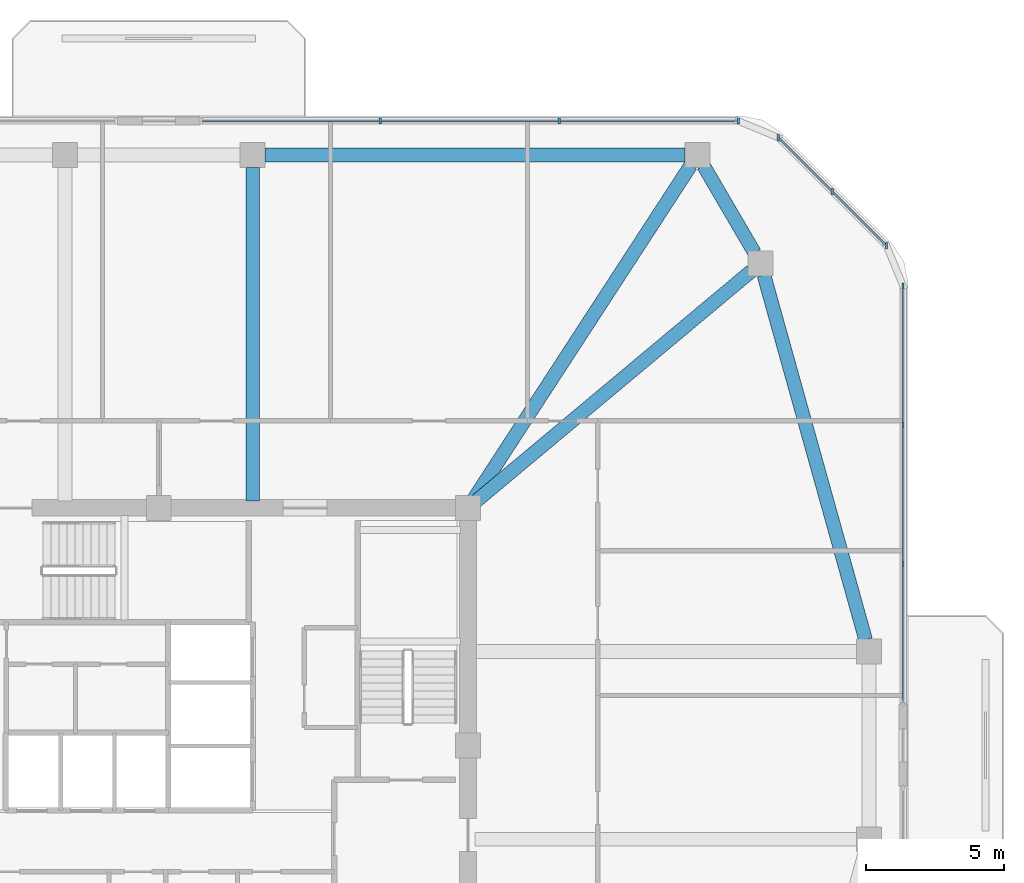
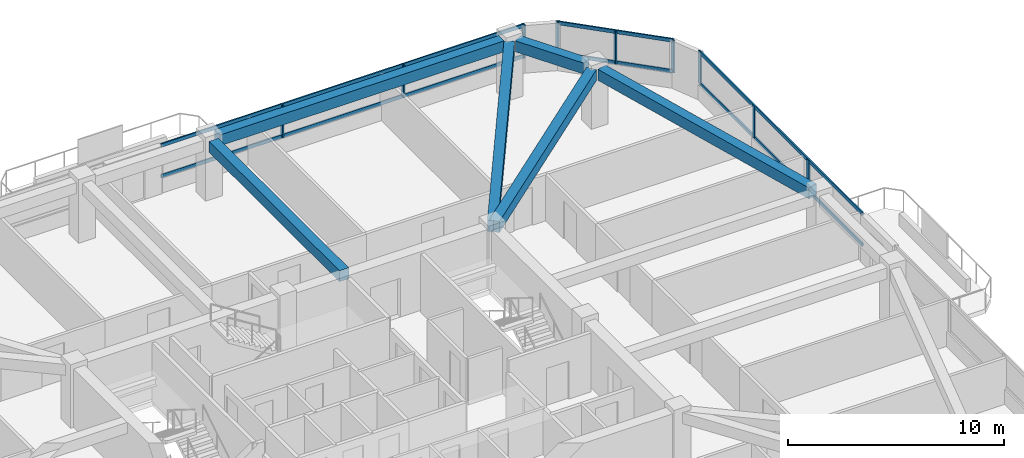
# One storey, part 7 of 14: 15 members, 6 beams, 3 elements without a shape of their own.
"""IFC4 building model written with IfcOpenShell, lengths in metres."""

import ifcopenshell
import ifcopenshell.guid

model = None  # the IFC model being written
_history = None  # IfcOwnerHistory: only IFC2X3 demands one
_inside = {}  # id of a spatial element -> (the spatial element, [elements in it])
_under = {}  # id of a project, library or spatial element -> (it, [spatial elements below it])
_declared = {}  # id of a project -> (the project, [libraries it declares])
_typed = {}  # id of a type object -> (the type object, [elements of that type])
_made_of = {}  # id of a material, layer set ... -> (it, [elements and type objects made of it])


def new_model(schema):
    """Start an empty IFC model of exactly this schema.

    Asked for "IFC4X3", IfcOpenShell would pick the latest addendum, in which some entities
    have other attributes; the version numbers below select the first issue.
    IFC2X3 requires an IfcOwnerHistory on every rooted entity: one is made here for all.
    """
    global model, _history
    if schema == "IFC4X3":
        model = ifcopenshell.file(schema_version=(4, 3, 0, 0))
    else:
        model = ifcopenshell.file(schema=schema)
    _inside.clear()
    _under.clear()
    _declared.clear()
    _typed.clear()
    _made_of.clear()
    _history = None
    if model.schema == "IFC2X3":
        org = make("IfcOrganization", Name="unknown")
        user = make(
            "IfcPersonAndOrganization",
            ThePerson=make("IfcPerson", FamilyName="unknown"),
            TheOrganization=org,
        )
        app = make(
            "IfcApplication",
            ApplicationDeveloper=org,
            Version="unknown",
            ApplicationFullName="unknown",
            ApplicationIdentifier="unknown",
        )
        _history = make(
            "IfcOwnerHistory",
            OwningUser=user,
            OwningApplication=app,
            ChangeAction="ADDED",
            CreationDate=0,
        )
    return model


def make(cls, **values):
    """One entity of the class cls with the attributes given. An attribute that is None is left unset."""
    return model.create_entity(
        cls, **{name: value for name, value in values.items() if value is not None}
    )


def rooted(cls, **values):
    """An entity with a GlobalId (a new one), such as an element, a storey or a relation."""
    return make(cls, GlobalId=ifcopenshell.guid.new(), OwnerHistory=_history, **values)


def si_unit(unit_type, name, prefix=None):
    """IfcSIUnit, for example si_unit("LENGTHUNIT", "METRE", prefix="MILLI")."""
    return make("IfcSIUnit", UnitType=unit_type, Prefix=prefix, Name=name)


def derived_unit(unit_type, elements):
    """IfcDerivedUnit: a product of units, each with its exponent."""
    return make(
        "IfcDerivedUnit",
        Elements=[
            make("IfcDerivedUnitElement", Unit=unit, Exponent=power)
            for unit, power in elements
        ],
        UnitType=unit_type,
    )


def assignment(units):
    """IfcUnitAssignment: the units of a project."""
    return None if units is None else make("IfcUnitAssignment", Units=units)


def point(xyz):
    """IfcCartesianPoint."""
    return None if xyz is None else make("IfcCartesianPoint", Coordinates=xyz)


def direction(xyz):
    """IfcDirection."""
    return None if xyz is None else make("IfcDirection", DirectionRatios=xyz)


def frame(location, z_axis=None, x_axis=None):
    """IfcAxis2Placement3D, a coordinate frame: its origin and axes. An axis left out is left unset."""
    return make(
        "IfcAxis2Placement3D",
        Location=point(location),
        Axis=direction(z_axis),
        RefDirection=direction(x_axis),
    )


def frame_2d(location, x_axis=None):
    """IfcAxis2Placement2D, a coordinate frame in the plane: its origin and x axis."""
    return make(
        "IfcAxis2Placement2D", Location=point(location), RefDirection=direction(x_axis)
    )


def origin():
    """The frame at (0, 0, 0) with its axes left unset."""
    return frame((0.0, 0.0, 0.0))


def origin_2d():
    """The frame at (0, 0) in the plane with its x axis left unset."""
    return frame_2d((0.0, 0.0))


def place(relative_to, where):
    """IfcLocalPlacement: puts the frame where relative to a parent placement (None: the world)."""
    return make(
        "IfcLocalPlacement", PlacementRelTo=relative_to, RelativePlacement=where
    )


def context(
    kind, dimensions, precision=None, world=None, true_north=None, identifier=None
):
    """IfcGeometricRepresentationContext, for example the 3D "Model" context."""
    return make(
        "IfcGeometricRepresentationContext",
        ContextIdentifier=identifier,
        ContextType=kind,
        CoordinateSpaceDimension=dimensions,
        Precision=precision,
        WorldCoordinateSystem=world,
        TrueNorth=true_north,
    )


def subcontext(parent, identifier, kind, view, scale=None):
    """IfcGeometricRepresentationSubContext, for example "Body" below "Model"."""
    return make(
        "IfcGeometricRepresentationSubContext",
        ContextIdentifier=identifier,
        ContextType=kind,
        ParentContext=parent,
        TargetScale=scale,
        TargetView=view,
    )


def project(units=None, contexts=None):
    """IfcProject with its units and contexts."""
    return rooted(
        "IfcProject",
        Name="project",
        RepresentationContexts=contexts,
        UnitsInContext=assignment(units),
    )


def spatial(cls, under=None, at=None, **own):
    """A site, building, storey or space (cls), placed at a placement, below another one or the project."""
    s = rooted(cls, ObjectPlacement=at, **own)
    if under is not None:
        _under.setdefault(under.id(), (under, []))[1].append(s)
    return s


def profile(cls, at=None, kind="AREA", **sizes):
    """A parametric profile (cls). Its sizes go by their IFC names, for example OverallWidth=200.0."""
    return make(cls, ProfileType=kind, Position=at, **sizes)


def rectangle(**sizes):
    """IfcRectangleProfileDef."""
    return profile("IfcRectangleProfileDef", **sizes)


def extrude(swept, where, along, depth):
    """IfcExtrudedAreaSolid: the profile swept, set in the frame where, extruded along a direction by depth."""
    return make(
        "IfcExtrudedAreaSolid",
        SweptArea=swept,
        Position=where,
        ExtrudedDirection=direction(along),
        Depth=depth,
    )


def shape(context_of_items, identifier, shape_type, items):
    """IfcShapeRepresentation: the items that make up one representation, for example the "Body"."""
    return make(
        "IfcShapeRepresentation",
        ContextOfItems=context_of_items,
        RepresentationIdentifier=identifier,
        RepresentationType=shape_type,
        Items=items,
    )


def material(Name=None, Category=None):
    """IfcMaterial."""
    return make("IfcMaterial", Name=Name, Category=Category)


def material_profile(
    of_material, cross_section, Name=None, Category=None, Priority=None
):
    """IfcMaterialProfile: a cross section and its material."""
    return make(
        "IfcMaterialProfile",
        Name=Name,
        Material=of_material,
        Profile=cross_section,
        Priority=Priority,
        Category=Category,
    )


def profile_set(profiles, Name=None, composite=None):
    """IfcMaterialProfileSet."""
    return make(
        "IfcMaterialProfileSet",
        Name=Name,
        MaterialProfiles=profiles,
        CompositeProfile=composite,
    )


def made_of(thing, what):
    """Note that an element or type object is made of a material, layer set ...; save() writes the relation."""
    if what is not None:
        _made_of.setdefault(what.id(), (what, []))[1].append(thing)
    return thing


def type_object(cls, material=None, **own):
    """A type object (cls), such as IfcWallType, which elements share."""
    return made_of(rooted(cls, **own), material)


def element(
    cls,
    number,
    at=None,
    inside=None,
    cuts=None,
    type_object=None,
    material=None,
    context=None,
    identifier="Body",
    shape_type=None,
    held_by="IfcProductDefinitionShape",
    body=None,
    shapes=None,
    **own,
):
    """One element of the class cls, such as IfcWall. Its Tag is "e" and its number.

    at: its placement. inside: the storey or other place that contains it. cuts: it is an
    opening in that element (IfcRelVoidsElement). A single representation is given by context,
    identifier, shape_type and body (its items); several are given by shapes. held_by: the class
    of the entity that holds the representations. save() writes the other relations.
    """
    e = rooted(cls, Tag="e%d" % number, ObjectPlacement=at, **own)
    if body is not None:
        shapes = [shape(context, identifier, shape_type, body)]
    if shapes is not None:
        e.Representation = make(held_by, Representations=shapes)
    if inside is not None:
        _inside.setdefault(inside.id(), (inside, []))[1].append(e)
    if cuts is not None:
        rooted(
            "IfcRelVoidsElement", RelatingBuildingElement=cuts, RelatedOpeningElement=e
        )
    if type_object is not None:
        _typed.setdefault(type_object.id(), (type_object, []))[1].append(e)
    return made_of(e, material)


def aggregate(whole, parts):
    """IfcRelAggregates: a whole, such as a stair, and the parts it consists of."""
    return rooted("IfcRelAggregates", RelatingObject=whole, RelatedObjects=parts)


def save(model, path):
    """Write the relations noted so far, then the file.

    IfcRelAggregates (storeys below a building ...), IfcRelContainedInSpatialStructure (elements
    in a storey), IfcRelDefinesByType, IfcRelAssociatesMaterial and IfcRelDeclares: one each for
    every whole, place, type object, material and project.
    """
    for whole, parts in _under.values():
        aggregate(whole, parts)
    for where, things in _inside.values():
        rooted(
            "IfcRelContainedInSpatialStructure",
            RelatedElements=things,
            RelatingStructure=where,
        )
    for kind, things in _typed.values():
        rooted("IfcRelDefinesByType", RelatedObjects=things, RelatingType=kind)
    for what, things in _made_of.values():
        rooted("IfcRelAssociatesMaterial", RelatedObjects=things, RelatingMaterial=what)
    for by, libraries in _declared.values():
        rooted("IfcRelDeclares", RelatingContext=by, RelatedDefinitions=libraries)
    model.write(path)


model = new_model("IFC4")

# Units and contexts
model_context = context("Model", 3, precision=1e-05, world=origin(), true_north=direction((0.0, 1.0)))
body_context = subcontext(model_context, "Body", "Model", "MODEL_VIEW")
ifc_project = project(units=[si_unit("LENGTHUNIT", "METRE"), si_unit("AREAUNIT", "SQUARE_METRE"), si_unit("VOLUMEUNIT", "CUBIC_METRE"), si_unit("PLANEANGLEUNIT", "RADIAN"), si_unit("MASSUNIT", "GRAM", prefix="KILO"), derived_unit("THERMALTRANSMITTANCEUNIT", [(si_unit("POWERUNIT", "WATT"), 1), (si_unit("LENGTHUNIT", "METRE"), -2), (si_unit("THERMODYNAMICTEMPERATUREUNIT", "KELVIN"), -1)])], contexts=[model_context])

# Site, building, storey
site_placement = place(None, origin())
site = spatial("IfcSite", under=ifc_project, at=site_placement, CompositionType="ELEMENT")
building_placement = place(site_placement, origin())
building = spatial("IfcBuilding", under=site, at=building_placement, Name="Koralith Skygarden Medical Center", CompositionType="ELEMENT")
storey_placement = place(building_placement, frame((0.0, 0.0, 225.179931640625)))
storey = spatial("IfcBuildingStorey", under=building, at=storey_placement, Name="L58", CompositionType="ELEMENT", Elevation=225.179931640625)

# Curtain wall, members
ifc_material_1 = material(Name="Clear Laminated Glass", Category="glass")
curtain_wall_type = type_object("IfcCurtainWallType", Name="CW-5 Zone 4 Flare Biophilic Curtain Wall", PredefinedType="NOTDEFINED", material=ifc_material_1)
curtain_wall_1_placement = place(storey_placement, origin())
curtain_wall_1 = element("IfcCurtainWall", 1, at=curtain_wall_1_placement, inside=storey, type_object=curtain_wall_type, Name="Curtain Wall CW-L58-E-R", PredefinedType="NOTDEFINED")
ifc_material_2 = material(Name="Aluminium 6063-T6", Category="aluminium")
ifc_material_profile_1 = material_profile(ifc_material_2, rectangle(XDim=0.080078125, YDim=0.219970703125, at=origin_2d()), Name="MUL80X220")
ifc_profile_set_1 = profile_set([ifc_material_profile_1], Name="Aluminium 6063-T6")
member_type_1 = type_object("IfcMemberType", Name="CW-5 Extruded Mullion 80x220", PredefinedType="MULLION", material=ifc_profile_set_1)
member_1_placement = place(storey_placement, frame((63.9619140625, 32.47509765625, 0.85009765625), z_axis=(0.0, 0.0, 1.0), x_axis=(1.0, 0.0, 0.0)))
member_1 = element("IfcMember", 2, at=member_1_placement, type_object=member_type_1, Name="CW-L58-E-R Mullion 2", PredefinedType="MULLION", context=body_context, shape_type="SweptSolid", body=[
    extrude(rectangle(XDim=0.080078125, YDim=0.219970703125, at=origin_2d()), origin(), (0.0, 0.0, 1.0), 1.840087890625),
])
member_2_placement = place(storey_placement, frame((63.9619140625, 37.510009765625, 0.85009765625), z_axis=(0.0, 0.0, 1.0), x_axis=(1.0, 0.0, 0.0)))
member_2 = element("IfcMember", 3, at=member_2_placement, type_object=member_type_1, Name="CW-L58-E-R Mullion 3", PredefinedType="MULLION", context=body_context, shape_type="SweptSolid", body=[
    extrude(rectangle(XDim=0.080078125, YDim=0.219970703125, at=origin_2d()), origin(), (0.0, 0.0, 1.0), 1.840087890625),
])
member_3_placement = place(storey_placement, frame((63.9619140625, 42.544921875, 0.85009765625), z_axis=(0.0, 0.0, 1.0), x_axis=(1.0, 0.0, 0.0)))
member_3 = element("IfcMember", 4, at=member_3_placement, type_object=member_type_1, Name="CW-L58-E-R Mullion 4", PredefinedType="MULLION", context=body_context, shape_type="SweptSolid", body=[
    extrude(rectangle(XDim=0.080078125, YDim=0.219970703125, at=origin_2d()), origin(), (0.0, 0.0, 1.0), 1.840087890625),
])

curtain_wall_2_placement = place(storey_placement, origin())
curtain_wall_2 = element("IfcCurtainWall", 5, at=curtain_wall_2_placement, inside=storey, type_object=curtain_wall_type, Name="Curtain Wall CW-L58-NE", PredefinedType="NOTDEFINED")
member_4_placement = place(storey_placement, frame((63.361083984375, 43.99609375, 0.85009765625), z_axis=(0.0, 0.0, 1.0), x_axis=(1.0, 0.0, 0.0)))
member_4 = element("IfcMember", 6, at=member_4_placement, type_object=member_type_1, Name="CW-L58-NE Mullion 1", PredefinedType="MULLION", context=body_context, shape_type="SweptSolid", body=[
    extrude(rectangle(XDim=0.080078125, YDim=0.219970703125, at=origin_2d()), origin(), (0.0, 0.0, 1.0), 1.840087890625),
])
member_5_placement = place(storey_placement, frame((61.39892578125, 45.9580078125, 0.85009765625), z_axis=(0.0, 0.0, 1.0), x_axis=(1.0, 0.0, 0.0)))
member_5 = element("IfcMember", 7, at=member_5_placement, type_object=member_type_1, Name="CW-L58-NE Mullion 2", PredefinedType="MULLION", context=body_context, shape_type="SweptSolid", body=[
    extrude(rectangle(XDim=0.080078125, YDim=0.219970703125, at=origin_2d()), origin(), (0.0, 0.0, 1.0), 1.840087890625),
])
member_6_placement = place(storey_placement, frame((59.43798828125, 47.9189453125, 0.85009765625), z_axis=(0.0, 0.0, 1.0), x_axis=(1.0, 0.0, 0.0)))
member_6 = element("IfcMember", 8, at=member_6_placement, type_object=member_type_1, Name="CW-L58-NE Mullion 3", PredefinedType="MULLION", context=body_context, shape_type="SweptSolid", body=[
    extrude(rectangle(XDim=0.080078125, YDim=0.219970703125, at=origin_2d()), origin(), (0.0, 0.0, 1.0), 1.840087890625),
])

curtain_wall_3_placement = place(storey_placement, origin())
curtain_wall_3 = element("IfcCurtainWall", 9, at=curtain_wall_3_placement, inside=storey, type_object=curtain_wall_type, Name="Curtain Wall CW-L58-N-L", PredefinedType="NOTDEFINED")
member_7_placement = place(storey_placement, frame((57.987060546875, 48.52001953125, 0.85009765625), z_axis=(0.0, 0.0, 1.0), x_axis=(1.0, 0.0, 0.0)))
member_7 = element("IfcMember", 10, at=member_7_placement, type_object=member_type_1, Name="CW-L58-N-L Mullion 1", PredefinedType="MULLION", context=body_context, shape_type="SweptSolid", body=[
    extrude(rectangle(XDim=0.080078125, YDim=0.219970703125, at=origin_2d()), origin(), (0.0, 0.0, 1.0), 1.840087890625),
])
member_8_placement = place(storey_placement, frame((51.5048828125, 48.52001953125, 0.85009765625), z_axis=(0.0, 0.0, 1.0), x_axis=(1.0, 0.0, 0.0)))
member_8 = element("IfcMember", 11, at=member_8_placement, type_object=member_type_1, Name="CW-L58-N-L Mullion 2", PredefinedType="MULLION", context=body_context, shape_type="SweptSolid", body=[
    extrude(rectangle(XDim=0.080078125, YDim=0.219970703125, at=origin_2d()), origin(), (0.0, 0.0, 1.0), 1.840087890625),
])
member_9_placement = place(storey_placement, frame((45.02294921875, 48.52001953125, 0.85009765625), z_axis=(0.0, 0.0, 1.0), x_axis=(1.0, 0.0, 0.0)))
member_9 = element("IfcMember", 12, at=member_9_placement, type_object=member_type_1, Name="CW-L58-N-L Mullion 3", PredefinedType="MULLION", context=body_context, shape_type="SweptSolid", body=[
    extrude(rectangle(XDim=0.080078125, YDim=0.219970703125, at=origin_2d()), origin(), (0.0, 0.0, 1.0), 1.840087890625),
])

# Member
ifc_material_profile_2 = material_profile(ifc_material_2, rectangle(XDim=0.074951171875, YDim=0.197998046875, at=origin_2d()), Name="TRN75X198")
ifc_profile_set_2 = profile_set([ifc_material_profile_2], Name="Aluminium 6063-T6")
member_type_2 = type_object("IfcMemberType", Name="CW-5 Thermal Transom 75x198", PredefinedType="USERDEFINED", material=ifc_profile_set_2)
member_10_placement = place(storey_placement, frame((63.9619140625, 27.43994140625, 0.900146484375), z_axis=(0.0, 1.0, 0.0), x_axis=(-1.0, 0.0, 0.0)))
member_10 = element("IfcMember", 13, at=member_10_placement, type_object=member_type_2, Name="CW-L58-E-R Transom 1", ObjectType="TRANSOM", PredefinedType="USERDEFINED", context=body_context, shape_type="SweptSolid", body=[
    extrude(rectangle(XDim=0.074951171875, YDim=0.197998046875, at=origin_2d()), origin(), (0.0, 0.0, 1.0), 15.10498046875),
])

member_11_placement = place(storey_placement, frame((63.9619140625, 27.43994140625, 2.64013671875), z_axis=(0.0, 1.0, 0.0), x_axis=(-1.0, 0.0, 0.0)))
member_11 = element("IfcMember", 14, at=member_11_placement, type_object=member_type_2, Name="CW-L58-E-R Transom 2", ObjectType="TRANSOM", PredefinedType="USERDEFINED", context=body_context, shape_type="SweptSolid", body=[
    extrude(rectangle(XDim=0.074951171875, YDim=0.197998046875, at=origin_2d()), origin(), (0.0, 0.0, 1.0), 15.10498046875),
])

aggregate(curtain_wall_1, [member_1, member_2, member_3, member_10, member_11])

member_12_placement = place(storey_placement, frame((63.361083984375, 43.99609375, 0.900146484375), z_axis=(-0.707128783731, 0.707084777957, 0.0), x_axis=(-0.707084777957, -0.707128783731, 0.0)))
member_12 = element("IfcMember", 15, at=member_12_placement, type_object=member_type_2, Name="CW-L58-NE Transom 1", ObjectType="TRANSOM", PredefinedType="USERDEFINED", context=body_context, shape_type="SweptSolid", body=[
    extrude(rectangle(XDim=0.074951171875, YDim=0.197998046875, at=origin_2d()), origin(), (0.0, 0.0, 1.0), 5.5478515625),
])

member_13_placement = place(storey_placement, frame((63.361083984375, 43.99609375, 2.64013671875), z_axis=(-0.707128783731, 0.707084777957, 0.0), x_axis=(-0.707084777957, -0.707128783731, 0.0)))
member_13 = element("IfcMember", 16, at=member_13_placement, type_object=member_type_2, Name="CW-L58-NE Transom 2", ObjectType="TRANSOM", PredefinedType="USERDEFINED", context=body_context, shape_type="SweptSolid", body=[
    extrude(rectangle(XDim=0.074951171875, YDim=0.197998046875, at=origin_2d()), origin(), (0.0, 0.0, 1.0), 5.5478515625),
])

aggregate(curtain_wall_2, [member_4, member_5, member_6, member_12, member_13])

member_14_placement = place(storey_placement, frame((57.987060546875, 48.52001953125, 0.900146484375), z_axis=(-1.0, 0.0, 0.0), x_axis=(0.0, -1.0, 0.0)))
member_14 = element("IfcMember", 17, at=member_14_placement, type_object=member_type_2, Name="CW-L58-N-L Transom 1", ObjectType="TRANSOM", PredefinedType="USERDEFINED", context=body_context, shape_type="SweptSolid", body=[
    extrude(rectangle(XDim=0.074951171875, YDim=0.197998046875, at=origin_2d()), origin(), (0.0, 0.0, 1.0), 19.446044921875),
])

member_15_placement = place(storey_placement, frame((57.987060546875, 48.52001953125, 2.64013671875), z_axis=(-1.0, 0.0, 0.0), x_axis=(0.0, -1.0, 0.0)))
member_15 = element("IfcMember", 18, at=member_15_placement, type_object=member_type_2, Name="CW-L58-N-L Transom 2", ObjectType="TRANSOM", PredefinedType="USERDEFINED", context=body_context, shape_type="SweptSolid", body=[
    extrude(rectangle(XDim=0.074951171875, YDim=0.197998046875, at=origin_2d()), origin(), (0.0, 0.0, 1.0), 19.446044921875),
])

aggregate(curtain_wall_3, [member_7, member_8, member_9, member_14, member_15])

# Beams
ifc_material_3 = material(Name="Concrete C45/55", Category="concrete")
ifc_material_profile_3 = material_profile(ifc_material_3, rectangle(XDim=0.5, YDim=0.6201171875, at=origin_2d()), Name="RCB500X620")
ifc_profile_set_3 = profile_set([ifc_material_profile_3], Name="Concrete C45/55")
beam_type_1 = type_object("IfcBeamType", Name="Upper Radial Collector Beam RCB500X620", PredefinedType="BEAM", material=ifc_profile_set_3)
beam_1_placement = place(storey_placement, frame((48.39208984375, 34.659912109375, 3.010009765625), z_axis=(0.767298159165, 0.64129052304, 0.0), x_axis=(-0.64129052304, 0.767298159165, 0.0)))
element("IfcBeam", 19, at=beam_1_placement, inside=storey, type_object=beam_type_1, Name="L58 Radial Collector Beam RB-10", PredefinedType="BEAM", context=body_context, shape_type="SweptSolid", body=[
    extrude(rectangle(XDim=0.5, YDim=0.6201171875, at=origin_2d()), origin(), (0.0, 0.0, 1.0), 13.126708984375),
])
beam_2_placement = place(storey_placement, frame((48.3359375, 34.7099609375, 3.010009765625), z_axis=(0.545156385215, 0.838334369842, 0.0), x_axis=(-0.838334369842, 0.545156385215, 0.0)))
element("IfcBeam", 20, at=beam_2_placement, inside=storey, type_object=beam_type_1, Name="L58 Radial Collector Beam RB-11", PredefinedType="BEAM", context=body_context, shape_type="SweptSolid", body=[
    extrude(rectangle(XDim=0.5, YDim=0.6201171875, at=origin_2d()), origin(), (0.0, 0.0, 1.0), 14.5537109375),
])
beam_3_placement = place(storey_placement, frame((40.39990234375, 34.75, 3.010009765625), z_axis=(0.0, 1.0, 0.0), x_axis=(-1.0, 0.0, 0.0)))
element("IfcBeam", 21, at=beam_3_placement, inside=storey, type_object=beam_type_1, Name="L58 Radial Collector Beam RB-12", PredefinedType="BEAM", context=body_context, shape_type="SweptSolid", body=[
    extrude(rectangle(XDim=0.5, YDim=0.6201171875, at=origin_2d()), origin(), (0.0, 0.0, 1.0), 12.090087890625),
])
ifc_material_profile_4 = material_profile(ifc_material_3, rectangle(XDim=0.5, YDim=0.6201171875, at=origin_2d()), Name="RCB500X620")
ifc_profile_set_4 = profile_set([ifc_material_profile_4], Name="Concrete C45/55")
beam_type_2 = type_object("IfcBeamType", Name="Zone 4-5 Spandrel Beam RCB500X620", PredefinedType="SPANDREL", material=ifc_profile_set_4)
beam_4_placement = place(storey_placement, frame((62.60400390625, 29.72412109375, 3.010009765625), z_axis=(-0.26859849356, 0.96325222515, 0.0), x_axis=(-0.96325222515, -0.26859849356, 0.0)))
element("IfcBeam", 22, at=beam_4_placement, inside=storey, type_object=beam_type_2, Name="L58 Perimeter Spandrel Beam SP-09", PredefinedType="SPANDREL", context=body_context, shape_type="SweptSolid", body=[
    extrude(rectangle(XDim=0.5, YDim=0.6201171875, at=origin_2d()), origin(), (0.0, 0.0, 1.0), 13.716064453125),
])
beam_5_placement = place(storey_placement, frame((58.580078125, 43.739990234375, 3.010009765625), z_axis=(-0.504861750403, 0.863200216045, 0.0), x_axis=(-0.863200216045, -0.504861750403, 0.0)))
element("IfcBeam", 23, at=beam_5_placement, inside=storey, type_object=beam_type_2, Name="L58 Perimeter Spandrel Beam SP-10", PredefinedType="SPANDREL", context=body_context, shape_type="SweptSolid", body=[
    extrude(rectangle(XDim=0.5, YDim=0.6201171875, at=origin_2d()), origin(), (0.0, 0.0, 1.0), 3.66064453125),
])
beam_6_placement = place(storey_placement, frame((56.070068359375, 47.280029296875, 3.010009765625), z_axis=(-1.0, 0.0, 0.0), x_axis=(0.0, -1.0, 0.0)))
element("IfcBeam", 24, at=beam_6_placement, inside=storey, type_object=beam_type_2, Name="L58 Perimeter Spandrel Beam SP-11", PredefinedType="SPANDREL", context=body_context, shape_type="SweptSolid", body=[
    extrude(rectangle(XDim=0.5, YDim=0.6201171875, at=origin_2d()), origin(), (0.0, 0.0, 1.0), 15.22998046875),
])

save(model, "model.ifc")
